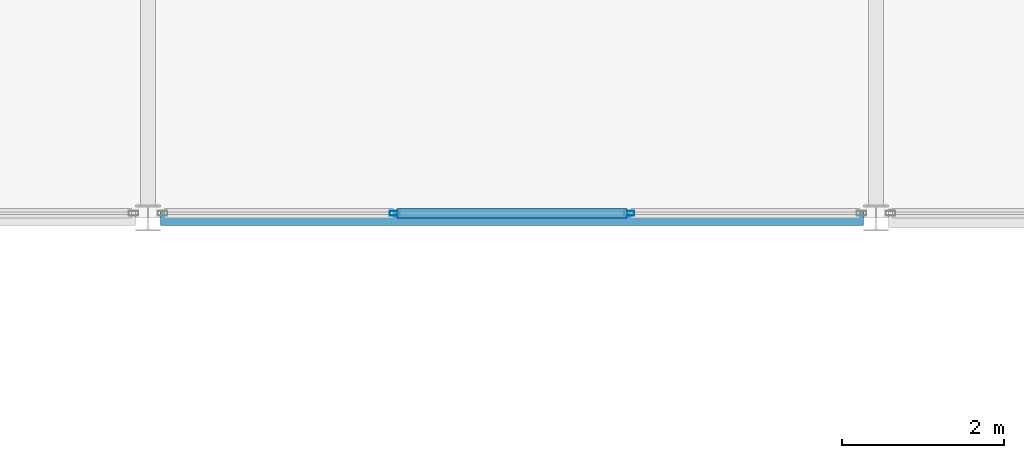
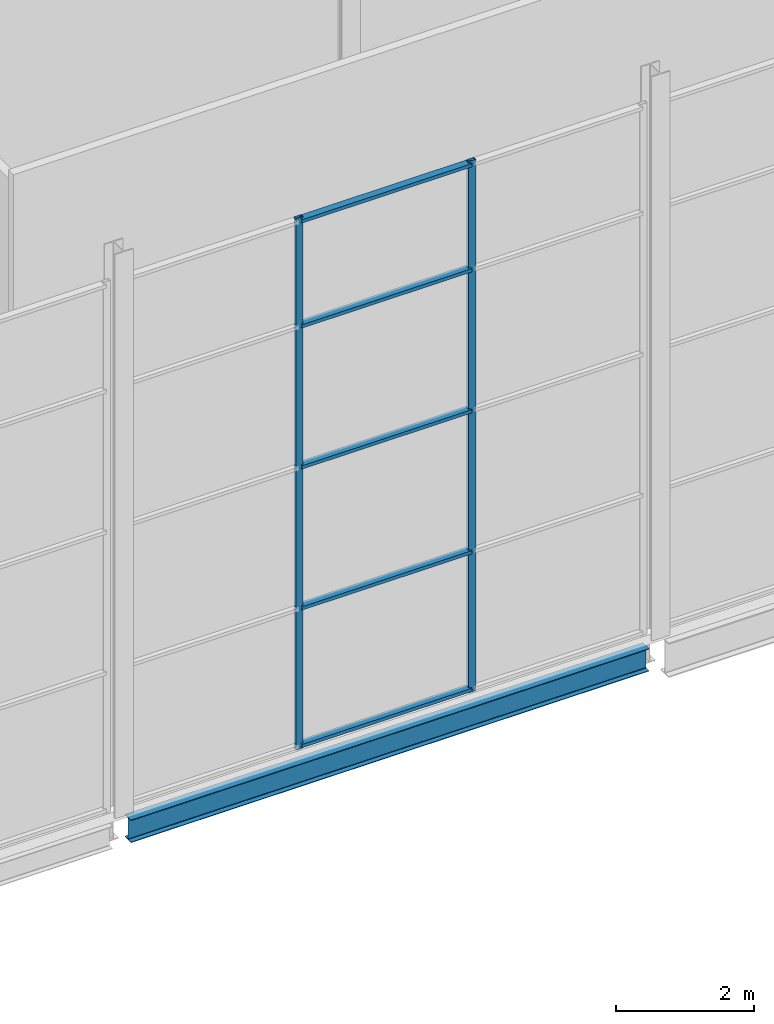
# One storey, part 44 of 111: 7 members, 1 beam, 1 element without a shape of its own.
"""IFC4 building model written with IfcOpenShell, lengths in metres."""

import ifcopenshell
import ifcopenshell.guid

model = None  # the IFC model being written
_history = None  # IfcOwnerHistory: only IFC2X3 demands one
_inside = {}  # id of a spatial element -> (the spatial element, [elements in it])
_under = {}  # id of a project, library or spatial element -> (it, [spatial elements below it])
_declared = {}  # id of a project -> (the project, [libraries it declares])
_typed = {}  # id of a type object -> (the type object, [elements of that type])
_made_of = {}  # id of a material, layer set ... -> (it, [elements and type objects made of it])


def new_model(schema):
    """Start an empty IFC model of exactly this schema.

    Asked for "IFC4X3", IfcOpenShell would pick the latest addendum, in which some entities
    have other attributes; the version numbers below select the first issue.
    IFC2X3 requires an IfcOwnerHistory on every rooted entity: one is made here for all.
    """
    global model, _history
    if schema == "IFC4X3":
        model = ifcopenshell.file(schema_version=(4, 3, 0, 0))
    else:
        model = ifcopenshell.file(schema=schema)
    _inside.clear()
    _under.clear()
    _declared.clear()
    _typed.clear()
    _made_of.clear()
    _history = None
    if model.schema == "IFC2X3":
        org = make("IfcOrganization", Name="unknown")
        user = make(
            "IfcPersonAndOrganization",
            ThePerson=make("IfcPerson", FamilyName="unknown"),
            TheOrganization=org,
        )
        app = make(
            "IfcApplication",
            ApplicationDeveloper=org,
            Version="unknown",
            ApplicationFullName="unknown",
            ApplicationIdentifier="unknown",
        )
        _history = make(
            "IfcOwnerHistory",
            OwningUser=user,
            OwningApplication=app,
            ChangeAction="ADDED",
            CreationDate=0,
        )
    return model


def make(cls, **values):
    """One entity of the class cls with the attributes given. An attribute that is None is left unset."""
    return model.create_entity(
        cls, **{name: value for name, value in values.items() if value is not None}
    )


def rooted(cls, **values):
    """An entity with a GlobalId (a new one), such as an element, a storey or a relation."""
    return make(cls, GlobalId=ifcopenshell.guid.new(), OwnerHistory=_history, **values)


def si_unit(unit_type, name, prefix=None):
    """IfcSIUnit, for example si_unit("LENGTHUNIT", "METRE", prefix="MILLI")."""
    return make("IfcSIUnit", UnitType=unit_type, Prefix=prefix, Name=name)


def assignment(units):
    """IfcUnitAssignment: the units of a project."""
    return None if units is None else make("IfcUnitAssignment", Units=units)


def point(xyz):
    """IfcCartesianPoint."""
    return None if xyz is None else make("IfcCartesianPoint", Coordinates=xyz)


def direction(xyz):
    """IfcDirection."""
    return None if xyz is None else make("IfcDirection", DirectionRatios=xyz)


def frame(location, z_axis=None, x_axis=None):
    """IfcAxis2Placement3D, a coordinate frame: its origin and axes. An axis left out is left unset."""
    return make(
        "IfcAxis2Placement3D",
        Location=point(location),
        Axis=direction(z_axis),
        RefDirection=direction(x_axis),
    )


def frame_2d(location, x_axis=None):
    """IfcAxis2Placement2D, a coordinate frame in the plane: its origin and x axis."""
    return make(
        "IfcAxis2Placement2D", Location=point(location), RefDirection=direction(x_axis)
    )


def origin():
    """The frame at (0, 0, 0) with its axes left unset."""
    return frame((0.0, 0.0, 0.0))


def origin_2d():
    """The frame at (0, 0) in the plane with its x axis left unset."""
    return frame_2d((0.0, 0.0))


def place(relative_to, where):
    """IfcLocalPlacement: puts the frame where relative to a parent placement (None: the world)."""
    return make(
        "IfcLocalPlacement", PlacementRelTo=relative_to, RelativePlacement=where
    )


def context(
    kind, dimensions, precision=None, world=None, true_north=None, identifier=None
):
    """IfcGeometricRepresentationContext, for example the 3D "Model" context."""
    return make(
        "IfcGeometricRepresentationContext",
        ContextIdentifier=identifier,
        ContextType=kind,
        CoordinateSpaceDimension=dimensions,
        Precision=precision,
        WorldCoordinateSystem=world,
        TrueNorth=true_north,
    )


def subcontext(parent, identifier, kind, view, scale=None):
    """IfcGeometricRepresentationSubContext, for example "Body" below "Model"."""
    return make(
        "IfcGeometricRepresentationSubContext",
        ContextIdentifier=identifier,
        ContextType=kind,
        ParentContext=parent,
        TargetScale=scale,
        TargetView=view,
    )


def project(units=None, contexts=None):
    """IfcProject with its units and contexts."""
    return rooted(
        "IfcProject",
        Name="project",
        RepresentationContexts=contexts,
        UnitsInContext=assignment(units),
    )


def spatial(cls, under=None, at=None, **own):
    """A site, building, storey or space (cls), placed at a placement, below another one or the project."""
    s = rooted(cls, ObjectPlacement=at, **own)
    if under is not None:
        _under.setdefault(under.id(), (under, []))[1].append(s)
    return s


def profile(cls, at=None, kind="AREA", **sizes):
    """A parametric profile (cls). Its sizes go by their IFC names, for example OverallWidth=200.0."""
    return make(cls, ProfileType=kind, Position=at, **sizes)


def hollow_rectangle(**sizes):
    """IfcRectangleHollowProfileDef."""
    return profile("IfcRectangleHollowProfileDef", **sizes)


def i_section(**sizes):
    """IfcIShapeProfileDef."""
    return profile("IfcIShapeProfileDef", **sizes)


def extrude(swept, where, along, depth):
    """IfcExtrudedAreaSolid: the profile swept, set in the frame where, extruded along a direction by depth."""
    return make(
        "IfcExtrudedAreaSolid",
        SweptArea=swept,
        Position=where,
        ExtrudedDirection=direction(along),
        Depth=depth,
    )


def shape(context_of_items, identifier, shape_type, items):
    """IfcShapeRepresentation: the items that make up one representation, for example the "Body"."""
    return make(
        "IfcShapeRepresentation",
        ContextOfItems=context_of_items,
        RepresentationIdentifier=identifier,
        RepresentationType=shape_type,
        Items=items,
    )


def material(Name=None, Category=None):
    """IfcMaterial."""
    return make("IfcMaterial", Name=Name, Category=Category)


def layer(
    of_material, thickness, ventilated=None, Name=None, Category=None, Priority=None
):
    """IfcMaterialLayer: one layer of a wall or slab, of a material (None: an air gap)."""
    return make(
        "IfcMaterialLayer",
        Material=of_material,
        LayerThickness=thickness,
        IsVentilated=ventilated,
        Name=Name,
        Category=Category,
        Priority=Priority,
    )


def layer_set(layers, Name=None):
    """IfcMaterialLayerSet."""
    return make("IfcMaterialLayerSet", MaterialLayers=layers, LayerSetName=Name)


def material_profile(
    of_material, cross_section, Name=None, Category=None, Priority=None
):
    """IfcMaterialProfile: a cross section and its material."""
    return make(
        "IfcMaterialProfile",
        Name=Name,
        Material=of_material,
        Profile=cross_section,
        Priority=Priority,
        Category=Category,
    )


def profile_set(profiles, Name=None, composite=None):
    """IfcMaterialProfileSet."""
    return make(
        "IfcMaterialProfileSet",
        Name=Name,
        MaterialProfiles=profiles,
        CompositeProfile=composite,
    )


def made_of(thing, what):
    """Note that an element or type object is made of a material, layer set ...; save() writes the relation."""
    if what is not None:
        _made_of.setdefault(what.id(), (what, []))[1].append(thing)
    return thing


def type_object(cls, material=None, **own):
    """A type object (cls), such as IfcWallType, which elements share."""
    return made_of(rooted(cls, **own), material)


def element(
    cls,
    number,
    at=None,
    inside=None,
    cuts=None,
    type_object=None,
    material=None,
    context=None,
    identifier="Body",
    shape_type=None,
    held_by="IfcProductDefinitionShape",
    body=None,
    shapes=None,
    **own,
):
    """One element of the class cls, such as IfcWall. Its Tag is "e" and its number.

    at: its placement. inside: the storey or other place that contains it. cuts: it is an
    opening in that element (IfcRelVoidsElement). A single representation is given by context,
    identifier, shape_type and body (its items); several are given by shapes. held_by: the class
    of the entity that holds the representations. save() writes the other relations.
    """
    e = rooted(cls, Tag="e%d" % number, ObjectPlacement=at, **own)
    if body is not None:
        shapes = [shape(context, identifier, shape_type, body)]
    if shapes is not None:
        e.Representation = make(held_by, Representations=shapes)
    if inside is not None:
        _inside.setdefault(inside.id(), (inside, []))[1].append(e)
    if cuts is not None:
        rooted(
            "IfcRelVoidsElement", RelatingBuildingElement=cuts, RelatedOpeningElement=e
        )
    if type_object is not None:
        _typed.setdefault(type_object.id(), (type_object, []))[1].append(e)
    return made_of(e, material)


def aggregate(whole, parts):
    """IfcRelAggregates: a whole, such as a stair, and the parts it consists of."""
    return rooted("IfcRelAggregates", RelatingObject=whole, RelatedObjects=parts)


def save(model, path):
    """Write the relations noted so far, then the file.

    IfcRelAggregates (storeys below a building ...), IfcRelContainedInSpatialStructure (elements
    in a storey), IfcRelDefinesByType, IfcRelAssociatesMaterial and IfcRelDeclares: one each for
    every whole, place, type object, material and project.
    """
    for whole, parts in _under.values():
        aggregate(whole, parts)
    for where, things in _inside.values():
        rooted(
            "IfcRelContainedInSpatialStructure",
            RelatedElements=things,
            RelatingStructure=where,
        )
    for kind, things in _typed.values():
        rooted("IfcRelDefinesByType", RelatedObjects=things, RelatingType=kind)
    for what, things in _made_of.values():
        rooted("IfcRelAssociatesMaterial", RelatedObjects=things, RelatingMaterial=what)
    for by, libraries in _declared.values():
        rooted("IfcRelDeclares", RelatingContext=by, RelatedDefinitions=libraries)
    model.write(path)


model = new_model("IFC4")

# Units and contexts
model_context = context("Model", 3, precision=1e-05, world=origin(), true_north=direction((0.0, 1.0)))
body_context = subcontext(model_context, "Body", "Model", "MODEL_VIEW")
ifc_project = project(units=[si_unit("LENGTHUNIT", "METRE"), si_unit("AREAUNIT", "SQUARE_METRE"), si_unit("VOLUMEUNIT", "CUBIC_METRE"), si_unit("PLANEANGLEUNIT", "RADIAN"), si_unit("MASSUNIT", "GRAM", prefix="KILO")], contexts=[model_context])

# Site, building, storey
site_placement = place(None, origin())
site = spatial("IfcSite", under=ifc_project, at=site_placement, CompositionType="ELEMENT")
building_placement = place(site_placement, origin())
building = spatial("IfcBuilding", under=site, at=building_placement, Name="Shorebreak Coast Museum", CompositionType="ELEMENT")
storey_placement = place(building_placement, frame((0.0, 0.0, 16.0)))
storey = spatial("IfcBuildingStorey", under=building, at=storey_placement, Name="L03", CompositionType="ELEMENT", Elevation=16.0)

# Beam
ifc_material_1 = material(Name="Steel Grade 300", Category="steel")
ifc_material_profile_1 = material_profile(ifc_material_1, i_section(OverallWidth=0.177978515625, OverallDepth=0.402587890625, WebThickness=0.007568359375, FlangeThickness=0.010986328125, FilletRadius=0.011474609375, at=origin_2d()), Name="410UB53.7")
ifc_profile_set_1 = profile_set([ifc_material_profile_1], Name="Steel Grade 300")
beam_type = type_object("IfcBeamType", Name="Floor girder east-west 410UB53.7", PredefinedType="BEAM", material=ifc_profile_set_1)
beam_placement = place(storey_placement, frame((72.155517578125, 81.0, -0.376220703125), z_axis=(1.0, 0.0, 0.0), x_axis=(0.0, 1.0, 0.0)))
element("IfcBeam", 1, at=beam_placement, inside=storey, type_object=beam_type, Name="Floor girder east-west L03 9K", PredefinedType="BEAM", context=body_context, shape_type="SweptSolid", body=[
    extrude(i_section(OverallWidth=0.177978515625, OverallDepth=0.402587890625, WebThickness=0.007568359375, FlangeThickness=0.010986328125, FilletRadius=0.011474609375, at=origin_2d()), origin(), (0.0, 0.0, 1.0), 8.68896484375),
])

# Curtain wall, members
ifc_material_2 = material(Name="Aluminium", Category="aluminium")
ifc_layer = layer(ifc_material_2, 0.1201171875)
ifc_layer_set = layer_set([ifc_layer], Name="Aluminium")
curtain_wall_type = type_object("IfcCurtainWallType", Name="Atrium fire screen", PredefinedType="NOTDEFINED", material=ifc_layer_set)
curtain_wall_placement = place(storey_placement, origin())
curtain_wall = element("IfcCurtainWall", 2, at=curtain_wall_placement, inside=storey, type_object=curtain_wall_type, Name="Atrium screen L03 N 40", PredefinedType="NOTDEFINED")
ifc_material_3 = material(Name="Aluminium", Category="aluminium")
ifc_material_profile_2 = material_profile(ifc_material_3, hollow_rectangle(XDim=0.06005859375, YDim=0.1201171875, WallThickness=0.00341796875, at=origin_2d()), Name="AL 120x60 RHS")
ifc_profile_set_2 = profile_set([ifc_material_profile_2], Name="Aluminium")
member_type_1 = type_object("IfcMemberType", Name="Screen mullion 50 x 120", PredefinedType="MULLION", material=ifc_profile_set_2)
member_1_placement = place(storey_placement, frame((75.051513671875, 81.06005859375, 0.0), z_axis=(0.0, 0.0, 1.0), x_axis=(0.0, 1.0, 0.0)))
member_1 = element("IfcMember", 3, at=member_1_placement, type_object=member_type_1, Name="CW5 mullion 2", PredefinedType="MULLION", context=body_context, shape_type="SweptSolid", body=[
    extrude(hollow_rectangle(XDim=0.06005859375, YDim=0.1201171875, WallThickness=0.00341796875, at=origin_2d()), origin(), (0.0, 0.0, 1.0), 9.42236328125),
])
member_2_placement = place(storey_placement, frame((77.948486328125, 81.06005859375, 0.0), z_axis=(0.0, 0.0, 1.0), x_axis=(0.0, 1.0, 0.0)))
member_2 = element("IfcMember", 4, at=member_2_placement, type_object=member_type_1, Name="CW5 mullion 3", PredefinedType="MULLION", context=body_context, shape_type="SweptSolid", body=[
    extrude(hollow_rectangle(XDim=0.06005859375, YDim=0.1201171875, WallThickness=0.00341796875, at=origin_2d()), origin(), (0.0, 0.0, 1.0), 9.42236328125),
])
ifc_material_4 = material(Name="Aluminium", Category="aluminium")
ifc_material_profile_3 = material_profile(ifc_material_4, hollow_rectangle(XDim=0.1201171875, YDim=0.06005859375, WallThickness=0.00341796875, at=origin_2d()), Name="AL 60x120 RHS")
ifc_profile_set_3 = profile_set([ifc_material_profile_3], Name="Aluminium")
member_type_2 = type_object("IfcMemberType", Name="Screen transom 120 x 50", PredefinedType="USERDEFINED", material=ifc_profile_set_3)
member_3_placement = place(storey_placement, frame((75.076416015625, 81.06005859375, 0.06005859375), z_axis=(1.0, 0.0, 0.0), x_axis=(0.0, 1.0, 0.0)))
member_3 = element("IfcMember", 5, at=member_3_placement, type_object=member_type_2, Name="CW5 transom 2.1", ObjectType="TRANSOM", PredefinedType="USERDEFINED", context=body_context, shape_type="SweptSolid", body=[
    extrude(hollow_rectangle(XDim=0.1201171875, YDim=0.06005859375, WallThickness=0.00341796875, at=origin_2d()), origin(), (0.0, 0.0, 1.0), 2.84716796875),
])
member_4_placement = place(storey_placement, frame((75.076416015625, 81.06005859375, 2.5), z_axis=(1.0, 0.0, 0.0), x_axis=(0.0, 1.0, 0.0)))
member_4 = element("IfcMember", 6, at=member_4_placement, type_object=member_type_2, Name="CW5 transom 2.2", ObjectType="TRANSOM", PredefinedType="USERDEFINED", context=body_context, shape_type="SweptSolid", body=[
    extrude(hollow_rectangle(XDim=0.1201171875, YDim=0.06005859375, WallThickness=0.00341796875, at=origin_2d()), origin(), (0.0, 0.0, 1.0), 2.84716796875),
])
member_5_placement = place(storey_placement, frame((75.076416015625, 81.06005859375, 5.0), z_axis=(1.0, 0.0, 0.0), x_axis=(0.0, 1.0, 0.0)))
member_5 = element("IfcMember", 7, at=member_5_placement, type_object=member_type_2, Name="CW5 transom 2.3", ObjectType="TRANSOM", PredefinedType="USERDEFINED", context=body_context, shape_type="SweptSolid", body=[
    extrude(hollow_rectangle(XDim=0.1201171875, YDim=0.06005859375, WallThickness=0.00341796875, at=origin_2d()), origin(), (0.0, 0.0, 1.0), 2.84716796875),
])
member_6_placement = place(storey_placement, frame((75.076416015625, 81.06005859375, 7.5), z_axis=(1.0, 0.0, 0.0), x_axis=(0.0, 1.0, 0.0)))
member_6 = element("IfcMember", 8, at=member_6_placement, type_object=member_type_2, Name="CW5 transom 2.4", ObjectType="TRANSOM", PredefinedType="USERDEFINED", context=body_context, shape_type="SweptSolid", body=[
    extrude(hollow_rectangle(XDim=0.1201171875, YDim=0.06005859375, WallThickness=0.00341796875, at=origin_2d()), origin(), (0.0, 0.0, 1.0), 2.84716796875),
])
member_7_placement = place(storey_placement, frame((75.076416015625, 81.06005859375, 9.3623046875), z_axis=(1.0, 0.0, 0.0), x_axis=(0.0, 1.0, 0.0)))
member_7 = element("IfcMember", 9, at=member_7_placement, type_object=member_type_2, Name="CW5 transom 2.5", ObjectType="TRANSOM", PredefinedType="USERDEFINED", context=body_context, shape_type="SweptSolid", body=[
    extrude(hollow_rectangle(XDim=0.1201171875, YDim=0.06005859375, WallThickness=0.00341796875, at=origin_2d()), origin(), (0.0, 0.0, 1.0), 2.84716796875),
])
aggregate(curtain_wall, [member_1, member_2, member_3, member_4, member_5, member_6, member_7])

save(model, "model.ifc")
